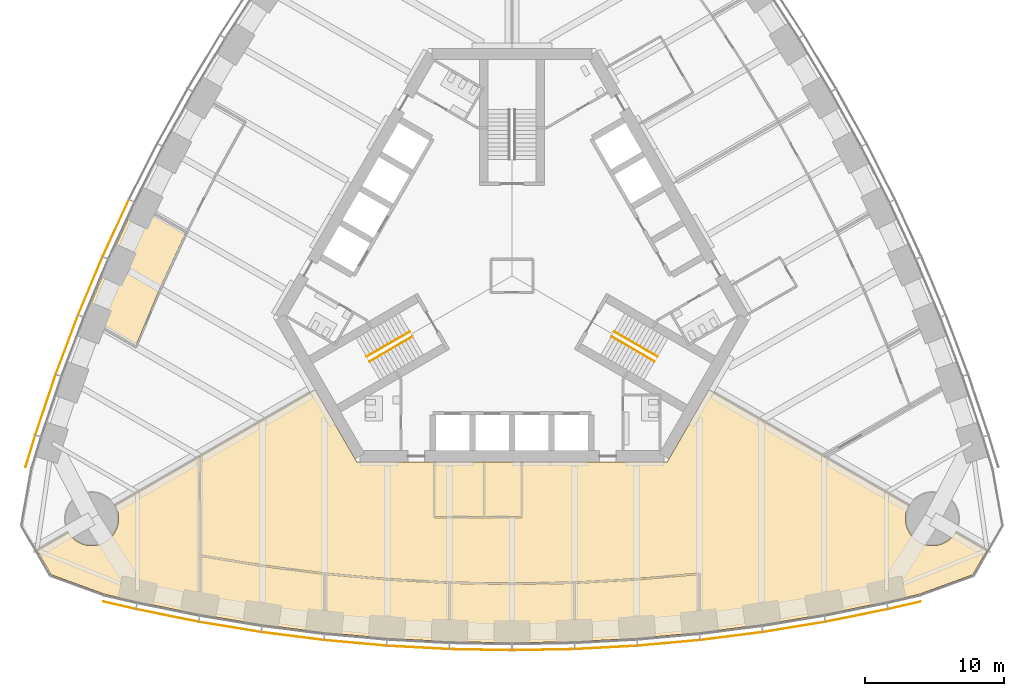
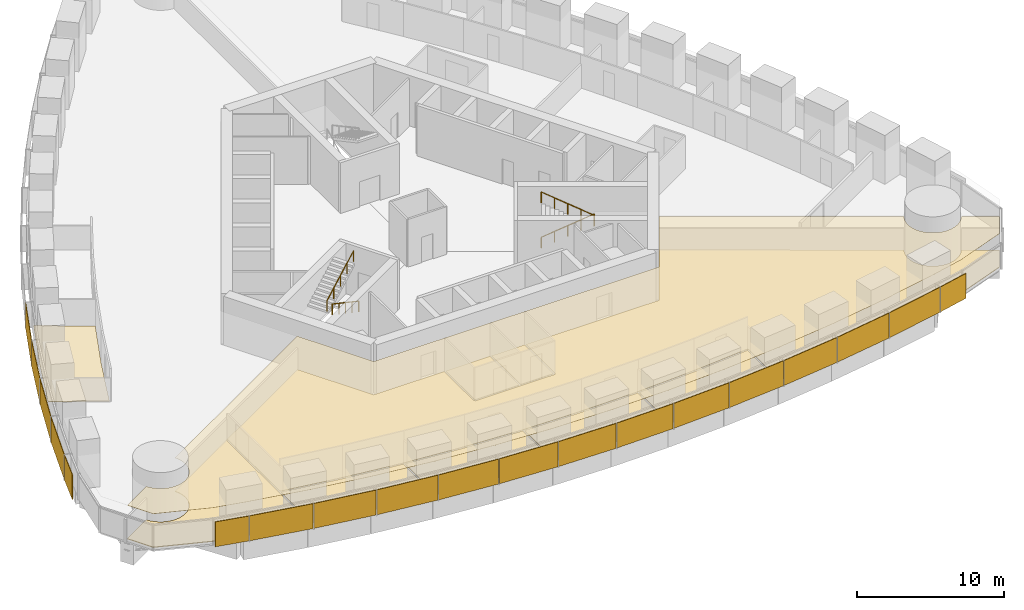
# One storey, part 14 of 18: 19 shading devices, 10 coverings, 4 railings.
"""IFC4 building model written with IfcOpenShell, lengths in metres."""

from ifc_helpers import new_model, si_unit, direction, frame, origin, origin_2d, place, context, subcontext, project, spatial, polyline, rectangle, circle, outline, extrude, material, layer, layer_set, type_object, element, save


model = new_model("IFC4")

# Units and contexts
model_context = context("Model", 3, precision=1e-05, world=origin(), true_north=direction((0.0, 1.0)))
body_context = subcontext(model_context, "Body", "Model", "MODEL_VIEW")
ifc_project = project(units=[si_unit("LENGTHUNIT", "METRE"), si_unit("AREAUNIT", "SQUARE_METRE"), si_unit("VOLUMEUNIT", "CUBIC_METRE"), si_unit("PLANEANGLEUNIT", "RADIAN"), si_unit("MASSUNIT", "GRAM", prefix="KILO")], contexts=[model_context])

# Site, building, storey
site_placement = place(None, origin())
site = spatial("IfcSite", under=ifc_project, at=site_placement, CompositionType="ELEMENT")
building_placement = place(site_placement, origin())
building = spatial("IfcBuilding", under=site, at=building_placement, Name="Trefoil Bronze Tower", CompositionType="ELEMENT")
storey_placement = place(building_placement, frame((0.0, 0.0, 174.5)))
storey = spatial("IfcBuildingStorey", under=building, at=storey_placement, Name="L40", CompositionType="ELEMENT", Elevation=174.5)

# Shading devices
ifc_material_1 = material(Name="Perforated bronze sheet", Category="bronze")
ifc_layer_1 = layer(ifc_material_1, 0.0400390625)
ifc_layer_set_1 = layer_set([ifc_layer_1], Name="Bronze solar screen panel")
shading_device_type = type_object("IfcShadingDeviceType", Name="Bronze solar screen panel", PredefinedType="SHUTTER", material=ifc_layer_set_1)
shading_device_1_placement = place(storey_placement, frame((-28.30078125, -23.748779296875, 0.0498046875), z_axis=(0.0, 0.0, 1.0), x_axis=(0.97420444715, -0.225667222151, 0.0)))
element("IfcShadingDevice", 1, at=shading_device_1_placement, inside=storey, type_object=shading_device_type, Name="Solar screen CW-A L40 F1 bay 1", PredefinedType="SHUTTER", context=body_context, shape_type="SweptSolid", body=[
    extrude(rectangle(XDim=2.39013671875, YDim=0.0400390625, at=origin_2d()), origin(), (0.0, 0.0, 1.0), 2.070068359375),
])
shading_device_2_placement = place(storey_placement, frame((-24.85693359375, -24.480224609375, 0.0498046875), z_axis=(0.0, 0.0, 1.0), x_axis=(0.980155155547, -0.198231861853, 0.0)))
element("IfcShadingDevice", 2, at=shading_device_2_placement, inside=storey, type_object=shading_device_type, Name="Solar screen CW-A L40 F1 bay 2", PredefinedType="SHUTTER", context=body_context, shape_type="SweptSolid", body=[
    extrude(rectangle(XDim=4.56103515625, YDim=0.0400390625, at=origin_2d()), origin(), (0.0, 0.0, 1.0), 2.070068359375),
])
shading_device_3_placement = place(storey_placement, frame((-20.337646484375, -25.30859375, 0.0498046875), z_axis=(0.0, 0.0, 1.0), x_axis=(0.986759655731, -0.162189339418, 0.0)))
element("IfcShadingDevice", 3, at=shading_device_3_placement, inside=storey, type_object=shading_device_type, Name="Solar screen CW-A L40 F1 bay 3", PredefinedType="SHUTTER", context=body_context, shape_type="SweptSolid", body=[
    extrude(rectangle(XDim=4.5302734375, YDim=0.0400390625, at=origin_2d()), origin(), (0.0, 0.0, 1.0), 2.070068359375),
])
shading_device_4_placement = place(storey_placement, frame((-15.818115234375, -25.96728515625, 0.0498046875), z_axis=(0.0, 0.0, 1.0), x_axis=(0.992011554286, -0.126147041833, 0.0)))
element("IfcShadingDevice", 4, at=shading_device_4_placement, inside=storey, type_object=shading_device_type, Name="Solar screen CW-A L40 F1 bay 4", PredefinedType="SHUTTER", context=body_context, shape_type="SweptSolid", body=[
    extrude(rectangle(XDim=4.50634765625, YDim=0.0400390625, at=origin_2d()), origin(), (0.0, 0.0, 1.0), 2.070068359375),
])
shading_device_5_placement = place(storey_placement, frame((-11.298583984375, -26.459228515625, 0.0498046875), z_axis=(0.0, 0.0, 1.0), x_axis=(0.995932279146, -0.090104913044, 0.0)))
element("IfcShadingDevice", 5, at=shading_device_5_placement, inside=storey, type_object=shading_device_type, Name="Solar screen CW-A L40 F1 bay 5", PredefinedType="SHUTTER", context=body_context, shape_type="SweptSolid", body=[
    extrude(rectangle(XDim=4.48828125, YDim=0.0400390625, at=origin_2d()), origin(), (0.0, 0.0, 1.0), 2.070068359375),
])
shading_device_6_placement = place(storey_placement, frame((-6.779296875, -26.785888671875, 0.0498046875), z_axis=(0.0, 0.0, 1.0), x_axis=(0.998537531923, -0.054062901701, 0.0)))
element("IfcShadingDevice", 6, at=shading_device_6_placement, inside=storey, type_object=shading_device_type, Name="Solar screen CW-A L40 F1 bay 6", PredefinedType="SHUTTER", context=body_context, shape_type="SweptSolid", body=[
    extrude(rectangle(XDim=4.4765625, YDim=0.0400390625, at=origin_2d()), origin(), (0.0, 0.0, 1.0), 2.070068359375),
])
for number, where, z_axis, x_axis, name in (
    (7, (-2.259765625, -26.948974609375, 0.0498046875), (0.0, 0.0, 1.0), (0.999837609322, -0.018020959612, 0.0), "Solar screen CW-A L40 F1 bay 7"),
    (8, (2.259765625, -26.948974609375, 0.0498046875), (0.0, 0.0, 1.0), (0.999837609322, 0.018020959612, 0.0), "Solar screen CW-A L40 F1 bay 8"),
):
    element("IfcShadingDevice", number, at=place(storey_placement, frame(where, z_axis=z_axis, x_axis=x_axis)), inside=storey, type_object=shading_device_type, Name=name, PredefinedType="SHUTTER", context=body_context, shape_type="SweptSolid", body=[
        extrude(rectangle(XDim=4.470703125, YDim=0.0400390625, at=origin_2d()), origin(), (0.0, 0.0, 1.0), 2.070068359375),
    ])
shading_device_7_placement = place(storey_placement, frame((6.779296875, -26.785888671875, 0.0498046875), z_axis=(0.0, 0.0, 1.0), x_axis=(0.998537531923, 0.054062901701, 0.0)))
element("IfcShadingDevice", 9, at=shading_device_7_placement, inside=storey, type_object=shading_device_type, Name="Solar screen CW-A L40 F1 bay 9", PredefinedType="SHUTTER", context=body_context, shape_type="SweptSolid", body=[
    extrude(rectangle(XDim=4.4765625, YDim=0.0400390625, at=origin_2d()), origin(), (0.0, 0.0, 1.0), 2.070068359375),
])
shading_device_8_placement = place(storey_placement, frame((11.298583984375, -26.459228515625, 0.0498046875), z_axis=(0.0, 0.0, 1.0), x_axis=(0.995932279146, 0.090104913044, 0.0)))
element("IfcShadingDevice", 10, at=shading_device_8_placement, inside=storey, type_object=shading_device_type, Name="Solar screen CW-A L40 F1 bay 10", PredefinedType="SHUTTER", context=body_context, shape_type="SweptSolid", body=[
    extrude(rectangle(XDim=4.48828125, YDim=0.0400390625, at=origin_2d()), origin(), (0.0, 0.0, 1.0), 2.070068359375),
])
shading_device_9_placement = place(storey_placement, frame((15.818115234375, -25.96728515625, 0.0498046875), z_axis=(0.0, 0.0, 1.0), x_axis=(0.992011554286, 0.126147041833, 0.0)))
element("IfcShadingDevice", 11, at=shading_device_9_placement, inside=storey, type_object=shading_device_type, Name="Solar screen CW-A L40 F1 bay 11", PredefinedType="SHUTTER", context=body_context, shape_type="SweptSolid", body=[
    extrude(rectangle(XDim=4.50634765625, YDim=0.0400390625, at=origin_2d()), origin(), (0.0, 0.0, 1.0), 2.070068359375),
])
shading_device_10_placement = place(storey_placement, frame((20.337646484375, -25.30859375, 0.0498046875), z_axis=(0.0, 0.0, 1.0), x_axis=(0.986759655731, 0.162189339418, 0.0)))
element("IfcShadingDevice", 12, at=shading_device_10_placement, inside=storey, type_object=shading_device_type, Name="Solar screen CW-A L40 F1 bay 12", PredefinedType="SHUTTER", context=body_context, shape_type="SweptSolid", body=[
    extrude(rectangle(XDim=4.5302734375, YDim=0.0400390625, at=origin_2d()), origin(), (0.0, 0.0, 1.0), 2.070068359375),
])
shading_device_11_placement = place(storey_placement, frame((24.85693359375, -24.480224609375, 0.0498046875), z_axis=(0.0, 0.0, 1.0), x_axis=(0.980155155547, 0.198231861853, 0.0)))
element("IfcShadingDevice", 13, at=shading_device_11_placement, inside=storey, type_object=shading_device_type, Name="Solar screen CW-A L40 F1 bay 13", PredefinedType="SHUTTER", context=body_context, shape_type="SweptSolid", body=[
    extrude(rectangle(XDim=4.56103515625, YDim=0.0400390625, at=origin_2d()), origin(), (0.0, 0.0, 1.0), 2.070068359375),
])
shading_device_12_placement = place(storey_placement, frame((28.30078125, -23.748779296875, 0.0498046875), z_axis=(0.0, 0.0, 1.0), x_axis=(0.97420444715, 0.225667222151, 0.0)))
element("IfcShadingDevice", 14, at=shading_device_12_placement, inside=storey, type_object=shading_device_type, Name="Solar screen CW-A L40 F1 bay 14", PredefinedType="SHUTTER", context=body_context, shape_type="SweptSolid", body=[
    extrude(rectangle(XDim=2.39013671875, YDim=0.0400390625, at=origin_2d()), origin(), (0.0, 0.0, 1.0), 2.070068359375),
])
shading_device_13_placement = place(storey_placement, frame((-28.563720703125, 3.444580078125, 0.0498046875), z_axis=(0.0, 0.0, 1.0), x_axis=(-0.419932995871, -0.907555110712, 0.0)))
element("IfcShadingDevice", 15, at=shading_device_13_placement, inside=storey, type_object=shading_device_type, Name="Solar screen CW-A L40 F3 bay 10", PredefinedType="SHUTTER", context=body_context, shape_type="SweptSolid", body=[
    extrude(rectangle(XDim=4.48828125, YDim=0.0400390625, at=origin_2d()), origin(), (0.0, 0.0, 1.0), 2.070068359375),
])
shading_device_14_placement = place(storey_placement, frame((-30.3974609375, -0.715087890625, 0.0498046875), z_axis=(0.0, 0.0, 1.0), x_axis=(-0.386759234303, -0.922180727776, 0.0)))
element("IfcShadingDevice", 16, at=shading_device_14_placement, inside=storey, type_object=shading_device_type, Name="Solar screen CW-A L40 F3 bay 11", PredefinedType="SHUTTER", context=body_context, shape_type="SweptSolid", body=[
    extrude(rectangle(XDim=4.50634765625, YDim=0.0400390625, at=origin_2d()), origin(), (0.0, 0.0, 1.0), 2.070068359375),
])
shading_device_15_placement = place(storey_placement, frame((-32.086669921875, -4.95849609375, 0.0498046875), z_axis=(0.0, 0.0, 1.0), x_axis=(-0.352919739707, -0.935653599002, 0.0)))
element("IfcShadingDevice", 17, at=shading_device_15_placement, inside=storey, type_object=shading_device_type, Name="Solar screen CW-A L40 F3 bay 12", PredefinedType="SHUTTER", context=body_context, shape_type="SweptSolid", body=[
    extrude(rectangle(XDim=4.5302734375, YDim=0.0400390625, at=origin_2d()), origin(), (0.0, 0.0, 1.0), 2.070068359375),
])
shading_device_16_placement = place(storey_placement, frame((-33.62890625, -9.286865234375, 0.0498046875), z_axis=(0.0, 0.0, 1.0), x_axis=(-0.318403749569, -0.947955195281, 0.0)))
element("IfcShadingDevice", 18, at=shading_device_16_placement, inside=storey, type_object=shading_device_type, Name="Solar screen CW-A L40 F3 bay 13", PredefinedType="SHUTTER", context=body_context, shape_type="SweptSolid", body=[
    extrude(rectangle(XDim=4.56103515625, YDim=0.0400390625, at=origin_2d()), origin(), (0.0, 0.0, 1.0), 2.070068359375),
])
shading_device_17_placement = place(storey_placement, frame((-34.717529296875, -12.634765625, 0.0498046875), z_axis=(0.0, 0.0, 1.0), x_axis=(-0.291668676391, -0.956519410787, 0.0)))
element("IfcShadingDevice", 19, at=shading_device_17_placement, inside=storey, type_object=shading_device_type, Name="Solar screen CW-A L40 F3 bay 14", PredefinedType="SHUTTER", context=body_context, shape_type="SweptSolid", body=[
    extrude(rectangle(XDim=2.39013671875, YDim=0.0400390625, at=origin_2d()), origin(), (0.0, 0.0, 1.0), 2.070068359375),
])

# Railings
ifc_material_2 = material(Name="Steel handrail", Category="steel")
railing_type = type_object("IfcRailingType", Name="Handrail 900", PredefinedType="HANDRAIL", material=ifc_material_2)
railing_1_placement = place(storey_placement, frame((7.365966796875, -4.021728515625, 0.16162109375)))
element("IfcRailing", 20, at=railing_1_placement, inside=storey, type_object=railing_type, Name="Handrail ST1 flight 1 L40", PredefinedType="HANDRAIL", context=body_context, shape_type="SweptSolid", body=[
    extrude(circle(Radius=0.02392578125, at=origin_2d()), frame((0.0, 0.0, 0.8759765625), z_axis=(0.76250339821, -0.440245697338, 0.474101564745), x_axis=(0.500012057535, 0.866018442252, 0.0)), (0.0, 0.0, 1.0), 4.088623046875),
    extrude(circle(Radius=0.02099609375, at=origin_2d()), origin(), (0.0, 0.0, 1.0), 0.851806640625),
    extrude(circle(Radius=0.02099609375, at=origin_2d()), frame((0.779296875, -0.449951171875, 0.484619140625)), (0.0, 0.0, 1.0), 0.851806640625),
    extrude(circle(Radius=0.02099609375, at=origin_2d()), frame((1.558837890625, -0.89990234375, 0.96923828125)), (0.0, 0.0, 1.0), 0.851806640625),
    extrude(circle(Radius=0.02099609375, at=origin_2d()), frame((2.33837890625, -1.35009765625, 1.453857421875)), (0.0, 0.0, 1.0), 0.851806640625),
    extrude(circle(Radius=0.02099609375, at=origin_2d()), frame((3.11767578125, -1.800048828125, 1.9384765625)), (0.0, 0.0, 1.0), 0.851806640625),
])
railing_2_placement = place(storey_placement, frame((10.28369140625, -6.168212890625, 2.261474609375)))
element("IfcRailing", 21, at=railing_2_placement, inside=storey, type_object=railing_type, Name="Handrail ST1 flight 2 L40", PredefinedType="HANDRAIL", context=body_context, shape_type="SweptSolid", body=[
    extrude(circle(Radius=0.02392578125, at=origin_2d()), frame((0.0, 0.0, 0.8759765625), z_axis=(-0.76250339821, 0.440245697338, 0.474101564745), x_axis=(-0.500012057535, -0.866018442252, 0.0)), (0.0, 0.0, 1.0), 4.088623046875),
    extrude(circle(Radius=0.02099609375, at=origin_2d()), origin(), (0.0, 0.0, 1.0), 0.851806640625),
    extrude(circle(Radius=0.02099609375, at=origin_2d()), frame((-0.779296875, 0.449951171875, 0.484619140625)), (0.0, 0.0, 1.0), 0.851806640625),
    extrude(circle(Radius=0.02099609375, at=origin_2d()), frame((-1.558837890625, 0.89990234375, 0.96923828125)), (0.0, 0.0, 1.0), 0.851806640625),
    extrude(circle(Radius=0.02099609375, at=origin_2d()), frame((-2.33837890625, 1.35009765625, 1.453857421875)), (0.0, 0.0, 1.0), 0.851806640625),
    extrude(circle(Radius=0.02099609375, at=origin_2d()), frame((-3.11767578125, 1.800048828125, 1.9384765625)), (0.0, 0.0, 1.0), 0.851806640625),
])
railing_3_placement = place(storey_placement, frame((-7.166015625, -4.3681640625, 0.16162109375)))
element("IfcRailing", 22, at=railing_3_placement, inside=storey, type_object=railing_type, Name="Handrail ST3 flight 1 L40", PredefinedType="HANDRAIL", context=body_context, shape_type="SweptSolid", body=[
    extrude(circle(Radius=0.02392578125, at=origin_2d()), frame((0.0, 0.0, 0.8759765625), z_axis=(-0.76250339821, -0.440245697338, 0.474101564745), x_axis=(0.500012057535, -0.866018442252, 0.0)), (0.0, 0.0, 1.0), 4.088623046875),
    extrude(circle(Radius=0.02099609375, at=origin_2d()), origin(), (0.0, 0.0, 1.0), 0.851806640625),
    extrude(circle(Radius=0.02099609375, at=origin_2d()), frame((-0.779296875, -0.449951171875, 0.484619140625)), (0.0, 0.0, 1.0), 0.851806640625),
    extrude(circle(Radius=0.02099609375, at=origin_2d()), frame((-1.558837890625, -0.89990234375, 0.96923828125)), (0.0, 0.0, 1.0), 0.851806640625),
    extrude(circle(Radius=0.02099609375, at=origin_2d()), frame((-2.33837890625, -1.35009765625, 1.453857421875)), (0.0, 0.0, 1.0), 0.851806640625),
    extrude(circle(Radius=0.02099609375, at=origin_2d()), frame((-3.11767578125, -1.800048828125, 1.9384765625)), (0.0, 0.0, 1.0), 0.851806640625),
])
railing_4_placement = place(storey_placement, frame((-10.483642578125, -5.82177734375, 2.261474609375)))
element("IfcRailing", 23, at=railing_4_placement, inside=storey, type_object=railing_type, Name="Handrail ST3 flight 2 L40", PredefinedType="HANDRAIL", context=body_context, shape_type="SweptSolid", body=[
    extrude(circle(Radius=0.02392578125, at=origin_2d()), frame((0.0, 0.0, 0.8759765625), z_axis=(0.76250339821, 0.440245697338, 0.474101564745), x_axis=(-0.500012057535, 0.866018442252, 0.0)), (0.0, 0.0, 1.0), 4.088623046875),
    extrude(circle(Radius=0.02099609375, at=origin_2d()), origin(), (0.0, 0.0, 1.0), 0.851806640625),
    extrude(circle(Radius=0.02099609375, at=origin_2d()), frame((0.779296875, 0.449951171875, 0.484619140625)), (0.0, 0.0, 1.0), 0.851806640625),
    extrude(circle(Radius=0.02099609375, at=origin_2d()), frame((1.558837890625, 0.89990234375, 0.96923828125)), (0.0, 0.0, 1.0), 0.851806640625),
    extrude(circle(Radius=0.02099609375, at=origin_2d()), frame((2.33837890625, 1.35009765625, 1.453857421875)), (0.0, 0.0, 1.0), 0.851806640625),
    extrude(circle(Radius=0.02099609375, at=origin_2d()), frame((3.11767578125, 1.800048828125, 1.9384765625)), (0.0, 0.0, 1.0), 0.851806640625),
])

# Coverings
ifc_material_3 = material(Name="Acoustic ceiling panels", Category="mineral fibre")
ifc_layer_2 = layer(ifc_material_3, 0.02001953125)
ifc_layer_set_2 = layer_set([ifc_layer_2], Name="Office ceiling 20")
covering_type_1 = type_object("IfcCoveringType", Name="Office ceiling 20", PredefinedType="CEILING", material=ifc_layer_set_2)
covering_1_placement = place(storey_placement, frame((0.0, 0.0, 2.89990234375)))
element("IfcCovering", 24, at=covering_1_placement, inside=storey, type_object=covering_type_1, Name="Ceiling L40 PA area F1", PredefinedType="CEILING", context=body_context, shape_type="SweptSolid", body=[
    extrude(outline(polyline([(-31.932373046875, -18.58349609375), (-31.877197265625, -18.66162109375), (-31.818359375, -18.737060546875), (-31.755615234375, -18.8095703125), (-31.689697265625, -18.87890625), (-31.620361328125, -18.94482421875), (-31.548095703125, -19.00732421875), (-31.472412109375, -19.06640625), (-31.394287109375, -19.121337890625), (-31.3134765625, -19.172607421875), (-31.22998046875, -19.2197265625), (-31.14453125, -19.2626953125), (-31.05712890625, -19.301513671875), (-30.9677734375, -19.3359375), (-30.876953125, -19.365966796875), (-30.78466796875, -19.3916015625), (-30.69140625, -19.41259765625), (-30.596923828125, -19.428955078125), (-30.501953125, -19.440673828125), (-30.406494140625, -19.44775390625), (-30.310791015625, -19.449951171875), (-30.215087890625, -19.44775390625), (-30.119873046875, -19.440673828125), (-30.02490234375, -19.428955078125), (-29.930419921875, -19.41259765625), (-29.837158203125, -19.3916015625), (-29.744873046875, -19.365966796875), (-29.654052734375, -19.3359375), (-29.564697265625, -19.301513671875), (-29.477294921875, -19.2626953125), (-29.3916015625, -19.2197265625), (-29.308349609375, -19.172607421875), (-29.2275390625, -19.121337890625), (-29.1494140625, -19.06640625), (-29.07373046875, -19.00732421875), (-29.001220703125, -18.94482421875), (-28.931884765625, -18.87890625), (-28.865966796875, -18.8095703125), (-28.803466796875, -18.737060546875), (-28.74462890625, -18.66162109375), (-28.689453125, -18.58349609375), (-28.63818359375, -18.50244140625), (-28.591064453125, -18.419189453125), (-28.548095703125, -18.333740234375), (-28.50927734375, -18.24609375), (-28.474853515625, -18.156982421875), (-28.44482421875, -18.066162109375), (-28.419189453125, -17.973876953125), (-28.3984375, -17.88037109375), (-28.382080078125, -17.7861328125), (-28.370361328125, -17.691162109375), (-28.36328125, -17.595703125), (-28.36083984375, -17.5), (-28.36328125, -17.404296875), (-28.370361328125, -17.308837890625), (-28.382080078125, -17.2138671875), (-28.3984375, -17.11962890625), (-28.419189453125, -17.026123046875), (-28.44482421875, -16.933837890625), (-28.474853515625, -16.843017578125), (-28.50927734375, -16.75390625), (-28.548095703125, -16.666259765625), (-28.591064453125, -16.580810546875), (-28.616455078125, -16.535888671875), (-14.19970703125, -8.205322265625), (-11.20068359375, -13.39990234375), (11.20068359375, -13.39990234375), (14.19970703125, -8.205322265625), (28.616455078125, -16.535888671875), (28.591064453125, -16.580810546875), (28.548095703125, -16.666259765625), (28.50927734375, -16.75390625), (28.474853515625, -16.843017578125), (28.44482421875, -16.933837890625), (28.419189453125, -17.026123046875), (28.3984375, -17.11962890625), (28.382080078125, -17.2138671875), (28.370361328125, -17.308837890625), (28.36328125, -17.404296875), (28.36083984375, -17.5), (28.36328125, -17.595703125), (28.370361328125, -17.691162109375), (28.382080078125, -17.7861328125), (28.3984375, -17.88037109375), (28.419189453125, -17.973876953125), (28.44482421875, -18.066162109375), (28.474853515625, -18.156982421875), (28.50927734375, -18.24609375), (28.548095703125, -18.333740234375), (28.591064453125, -18.419189453125), (28.63818359375, -18.50244140625), (28.689453125, -18.58349609375), (28.74462890625, -18.66162109375), (28.803466796875, -18.737060546875), (28.865966796875, -18.8095703125), (28.931884765625, -18.87890625), (29.001220703125, -18.94482421875), (29.07373046875, -19.00732421875), (29.1494140625, -19.06640625), (29.2275390625, -19.121337890625), (29.308349609375, -19.172607421875), (29.3916015625, -19.2197265625), (29.477294921875, -19.2626953125), (29.564697265625, -19.301513671875), (29.654052734375, -19.3359375), (29.744873046875, -19.365966796875), (29.837158203125, -19.3916015625), (29.930419921875, -19.41259765625), (30.02490234375, -19.428955078125), (30.119873046875, -19.440673828125), (30.215087890625, -19.44775390625), (30.310791015625, -19.449951171875), (30.406494140625, -19.44775390625), (30.501953125, -19.440673828125), (30.596923828125, -19.428955078125), (30.69140625, -19.41259765625), (30.78466796875, -19.3916015625), (30.876953125, -19.365966796875), (30.9677734375, -19.3359375), (31.05712890625, -19.301513671875), (31.14453125, -19.2626953125), (31.22998046875, -19.2197265625), (31.3134765625, -19.172607421875), (31.394287109375, -19.121337890625), (31.472412109375, -19.06640625), (31.548095703125, -19.00732421875), (31.620361328125, -18.94482421875), (31.689697265625, -18.87890625), (31.755615234375, -18.8095703125), (31.818359375, -18.737060546875), (31.877197265625, -18.66162109375), (31.932373046875, -18.58349609375), (31.992431640625, -18.48681640625), (34.233154296875, -19.781494140625), (33.21435546875, -21.5458984375), (29.357666015625, -22.94970703125), (27.0, -23.495849609375), (22.5, -24.406005859375), (18.0, -25.1455078125), (13.5, -25.7177734375), (9.0, -26.125), (4.5, -26.36865234375), (0.0, -26.44970703125), (-4.5, -26.36865234375), (-9.0, -26.125), (-13.5, -25.7177734375), (-18.0, -25.1455078125), (-22.5, -24.406005859375), (-27.0, -23.495849609375), (-29.357666015625, -22.94970703125), (-33.21435546875, -21.5458984375), (-34.233154296875, -19.781494140625), (-31.992431640625, -18.48681640625), (-31.932373046875, -18.58349609375)])), origin(), (0.0, 0.0, 1.0), 0.02001953125),
])
ifc_material_4 = material(Name="Raised access floor panels", Category="steel")
ifc_layer_3 = layer(ifc_material_4, 0.050048828125)
ifc_layer_set_3 = layer_set([ifc_layer_3], Name="Raised access floor 150")
covering_type_2 = type_object("IfcCoveringType", Name="Raised access floor 150", PredefinedType="FLOORING", material=ifc_layer_set_3)
covering_2_placement = place(storey_placement, frame((0.0, 0.0, 0.10009765625)))
element("IfcCovering", 25, at=covering_2_placement, inside=storey, type_object=covering_type_2, Name="Raised floor L40 Dining room F1", PredefinedType="FLOORING", context=body_context, shape_type="SweptSolid", body=[
    extrude(outline(polyline([(-28.616455078125, -16.535888671875), (-22.5, -13.001708984375), (-22.5, -13.051513671875), (-22.56005859375, -13.051513671875), (-22.56005859375, -22.748779296875), (-22.5, -22.748779296875), (-22.5, -24.406005859375), (-27.0, -23.495849609375), (-29.357666015625, -22.94970703125), (-33.21435546875, -21.5458984375), (-34.233154296875, -19.781494140625), (-31.992431640625, -18.48681640625), (-31.932373046875, -18.58349609375), (-31.877197265625, -18.66162109375), (-31.818359375, -18.737060546875), (-31.755615234375, -18.8095703125), (-31.689697265625, -18.87890625), (-31.620361328125, -18.94482421875), (-31.548095703125, -19.00732421875), (-31.472412109375, -19.06640625), (-31.394287109375, -19.121337890625), (-31.3134765625, -19.172607421875), (-31.22998046875, -19.2197265625), (-31.14453125, -19.2626953125), (-31.05712890625, -19.301513671875), (-30.9677734375, -19.3359375), (-30.876953125, -19.365966796875), (-30.78466796875, -19.3916015625), (-30.69140625, -19.41259765625), (-30.596923828125, -19.428955078125), (-30.501953125, -19.440673828125), (-30.406494140625, -19.44775390625), (-30.310791015625, -19.449951171875), (-30.215087890625, -19.44775390625), (-30.119873046875, -19.440673828125), (-30.02490234375, -19.428955078125), (-29.930419921875, -19.41259765625), (-29.837158203125, -19.3916015625), (-29.744873046875, -19.365966796875), (-29.654052734375, -19.3359375), (-29.564697265625, -19.301513671875), (-29.477294921875, -19.2626953125), (-29.3916015625, -19.2197265625), (-29.308349609375, -19.172607421875), (-29.2275390625, -19.121337890625), (-29.1494140625, -19.06640625), (-29.07373046875, -19.00732421875), (-29.001220703125, -18.94482421875), (-28.931884765625, -18.87890625), (-28.865966796875, -18.8095703125), (-28.803466796875, -18.737060546875), (-28.74462890625, -18.66162109375), (-28.689453125, -18.58349609375), (-28.63818359375, -18.50244140625), (-28.591064453125, -18.419189453125), (-28.548095703125, -18.333740234375), (-28.50927734375, -18.24609375), (-28.474853515625, -18.156982421875), (-28.44482421875, -18.066162109375), (-28.419189453125, -17.973876953125), (-28.3984375, -17.88037109375), (-28.382080078125, -17.7861328125), (-28.370361328125, -17.691162109375), (-28.36328125, -17.595703125), (-28.36083984375, -17.5), (-28.36328125, -17.404296875), (-28.370361328125, -17.308837890625), (-28.382080078125, -17.2138671875), (-28.3984375, -17.11962890625), (-28.419189453125, -17.026123046875), (-28.44482421875, -16.933837890625), (-28.474853515625, -16.843017578125), (-28.50927734375, -16.75390625), (-28.548095703125, -16.666259765625), (-28.591064453125, -16.580810546875), (-28.616455078125, -16.535888671875)])), origin(), (0.0, 0.0, 1.0), 0.0498046875),
])
covering_3_placement = place(storey_placement, frame((0.0, 0.0, 0.10009765625)))
element("IfcCovering", 26, at=covering_3_placement, inside=storey, type_object=covering_type_2, Name="Raised floor L40 Meeting room F1", PredefinedType="FLOORING", context=body_context, shape_type="SweptSolid", body=[
    extrude(outline(polyline([(-2.06005859375, -13.39990234375), (-2.06005859375, -17.340087890625), (-5.5400390625, -17.340087890625), (-5.5400390625, -13.39990234375), (-2.06005859375, -13.39990234375)])), origin(), (0.0, 0.0, 1.0), 0.0498046875),
])
covering_4_placement = place(storey_placement, frame((0.0, 0.0, 0.10009765625)))
element("IfcCovering", 27, at=covering_4_placement, inside=storey, type_object=covering_type_2, Name="Raised floor L40 Pantry F1", PredefinedType="FLOORING", context=body_context, shape_type="SweptSolid", body=[
    extrude(outline(polyline([(0.639892578125, -13.39990234375), (0.639892578125, -17.340087890625), (-1.93994140625, -17.340087890625), (-1.93994140625, -13.39990234375), (0.639892578125, -13.39990234375)])), origin(), (0.0, 0.0, 1.0), 0.0498046875),
])
covering_5_placement = place(storey_placement, frame((0.0, 0.0, 0.10009765625)))
element("IfcCovering", 28, at=covering_5_placement, inside=storey, type_object=covering_type_2, Name="Raised floor L40 Executive office F1", PredefinedType="FLOORING", context=body_context, shape_type="SweptSolid", body=[
    extrude(outline(polyline([(-18.0, -25.1455078125), (-22.5, -24.406005859375), (-22.5, -22.748779296875), (-22.43994140625, -22.748779296875), (-22.43994140625, -20.2265625), (-18.009765625, -20.954833984375), (-18.0, -20.8955078125), (-18.007568359375, -20.955078125), (-13.56005859375, -21.520751953125), (-13.56005859375, -24.078125), (-13.5, -24.078125), (-13.5, -25.7177734375), (-18.0, -25.1455078125)])), origin(), (0.0, 0.0, 1.0), 0.0498046875),
])
covering_6_placement = place(storey_placement, frame((0.0, 0.0, 0.10009765625)))
element("IfcCovering", 29, at=covering_6_placement, inside=storey, type_object=covering_type_2, Name="Raised floor L40 Executive office F1", PredefinedType="FLOORING", context=body_context, shape_type="SweptSolid", body=[
    extrude(outline(polyline([(-9.0, -26.125), (-13.5, -25.7177734375), (-13.5, -24.078125), (-13.43994140625, -24.078125), (-13.43994140625, -21.533447265625), (-9.00537109375, -21.934814453125), (-9.0, -21.875), (-9.003173828125, -21.934814453125), (-4.56005859375, -22.17529296875), (-4.56005859375, -24.737548828125), (-4.5, -24.737548828125), (-4.5, -26.36865234375), (-9.0, -26.125)])), origin(), (0.0, 0.0, 1.0), 0.0498046875),
])
covering_7_placement = place(storey_placement, frame((0.0, 0.0, 0.10009765625)))
element("IfcCovering", 30, at=covering_7_placement, inside=storey, type_object=covering_type_2, Name="Raised floor L40 Executive office F1", PredefinedType="FLOORING", context=body_context, shape_type="SweptSolid", body=[
    extrude(outline(polyline([(0.0, -26.44970703125), (-4.5, -26.36865234375), (-4.5, -24.737548828125), (-4.43994140625, -24.737548828125), (-4.43994140625, -22.1796875), (-0.001220703125, -22.259765625), (0.0, -22.19970703125), (0.001220703125, -22.259765625), (4.43994140625, -22.1796875), (4.43994140625, -24.737548828125), (4.5, -24.737548828125), (4.5, -26.36865234375), (0.0, -26.44970703125)])), origin(), (0.0, 0.0, 1.0), 0.0498046875),
])
covering_8_placement = place(storey_placement, frame((0.0, 0.0, 0.10009765625)))
element("IfcCovering", 31, at=covering_8_placement, inside=storey, type_object=covering_type_2, Name="Raised floor L40 Executive office F1", PredefinedType="FLOORING", context=body_context, shape_type="SweptSolid", body=[
    extrude(outline(polyline([(9.0, -26.125), (4.5, -26.36865234375), (4.5, -24.737548828125), (4.56005859375, -24.737548828125), (4.56005859375, -22.17529296875), (9.003173828125, -21.934814453125), (9.0, -21.875), (9.00537109375, -21.934814453125), (13.43994140625, -21.533447265625), (13.43994140625, -24.078125), (13.5, -24.078125), (13.5, -25.7177734375), (9.0, -26.125)])), origin(), (0.0, 0.0, 1.0), 0.0498046875),
])
covering_9_placement = place(storey_placement, frame((0.0, 0.0, 0.10009765625)))
element("IfcCovering", 32, at=covering_9_placement, inside=storey, type_object=covering_type_2, Name="Raised floor L40 PA area F1", PredefinedType="FLOORING", context=body_context, shape_type="SweptSolid", body=[
    extrude(outline(polyline([(-11.20068359375, -13.39990234375), (-5.659912109375, -13.39990234375), (-5.659912109375, -17.39990234375), (-5.60009765625, -17.39990234375), (-5.60009765625, -17.4599609375), (0.699951171875, -17.4599609375), (0.699951171875, -17.39990234375), (0.760009765625, -17.39990234375), (0.760009765625, -13.39990234375), (11.20068359375, -13.39990234375), (14.19970703125, -8.205322265625), (28.616455078125, -16.535888671875), (28.591064453125, -16.580810546875), (28.548095703125, -16.666259765625), (28.50927734375, -16.75390625), (28.474853515625, -16.843017578125), (28.44482421875, -16.933837890625), (28.419189453125, -17.026123046875), (28.3984375, -17.11962890625), (28.382080078125, -17.2138671875), (28.370361328125, -17.308837890625), (28.36328125, -17.404296875), (28.36083984375, -17.5), (28.36328125, -17.595703125), (28.370361328125, -17.691162109375), (28.382080078125, -17.7861328125), (28.3984375, -17.88037109375), (28.419189453125, -17.973876953125), (28.44482421875, -18.066162109375), (28.474853515625, -18.156982421875), (28.50927734375, -18.24609375), (28.548095703125, -18.333740234375), (28.591064453125, -18.419189453125), (28.63818359375, -18.50244140625), (28.689453125, -18.58349609375), (28.74462890625, -18.66162109375), (28.803466796875, -18.737060546875), (28.865966796875, -18.8095703125), (28.931884765625, -18.87890625), (29.001220703125, -18.94482421875), (29.07373046875, -19.00732421875), (29.1494140625, -19.06640625), (29.2275390625, -19.121337890625), (29.308349609375, -19.172607421875), (29.3916015625, -19.2197265625), (29.477294921875, -19.2626953125), (29.564697265625, -19.301513671875), (29.654052734375, -19.3359375), (29.744873046875, -19.365966796875), (29.837158203125, -19.3916015625), (29.930419921875, -19.41259765625), (30.02490234375, -19.428955078125), (30.119873046875, -19.440673828125), (30.215087890625, -19.44775390625), (30.310791015625, -19.449951171875), (30.406494140625, -19.44775390625), (30.501953125, -19.440673828125), (30.596923828125, -19.428955078125), (30.69140625, -19.41259765625), (30.78466796875, -19.3916015625), (30.876953125, -19.365966796875), (30.9677734375, -19.3359375), (31.05712890625, -19.301513671875), (31.14453125, -19.2626953125), (31.22998046875, -19.2197265625), (31.3134765625, -19.172607421875), (31.394287109375, -19.121337890625), (31.472412109375, -19.06640625), (31.548095703125, -19.00732421875), (31.620361328125, -18.94482421875), (31.689697265625, -18.87890625), (31.755615234375, -18.8095703125), (31.818359375, -18.737060546875), (31.877197265625, -18.66162109375), (31.932373046875, -18.58349609375), (31.992431640625, -18.48681640625), (34.233154296875, -19.781494140625), (33.21435546875, -21.5458984375), (29.357666015625, -22.94970703125), (27.0, -23.495849609375), (22.5, -24.406005859375), (18.0, -25.1455078125), (13.5, -25.7177734375), (13.5, -24.078125), (13.56005859375, -24.078125), (13.56005859375, -21.4677734375), (13.5, -21.4677734375), (13.49462890625, -21.407958984375), (10.18359375, -21.70751953125), (7.807861328125, -21.87939453125), (4.497802734375, -22.05859375), (1.17041015625, -22.11865234375), (-1.17041015625, -22.11865234375), (-4.497802734375, -22.05859375), (-7.807861328125, -21.87939453125), (-10.18359375, -21.70751953125), (-13.493408203125, -21.408203125), (-16.75146484375, -20.993896484375), (-19.231201171875, -20.63232421875), (-22.43994140625, -20.10498046875), (-22.43994140625, -13.051513671875), (-22.5, -13.051513671875), (-22.5, -13.001708984375), (-14.19970703125, -8.205322265625), (-11.20068359375, -13.39990234375)])), origin(), (0.0, 0.0, 1.0), 0.0498046875),
])
covering_10_placement = place(storey_placement, frame((0.0, 0.0, 0.10009765625)))
element("IfcCovering", 33, at=covering_10_placement, inside=storey, type_object=covering_type_2, Name="Raised floor L40 Executive office F3", PredefinedType="FLOORING", context=body_context, shape_type="SweptSolid", body=[
    extrude(outline(polyline([(-29.022216796875, 1.16748046875), (-27.124755859375, 5.268310546875), (-25.709716796875, 4.451171875), (-25.739501953125, 4.399169921875), (-23.521728515625, 3.11865234375), (-25.39599609375, -0.93212890625), (-25.341796875, -0.95751953125), (-25.39697265625, -0.93408203125), (-27.125, -5.0546875), (-29.3203125, -3.787353515625), (-29.350341796875, -3.839111328125), (-30.776611328125, -3.015625), (-29.022216796875, 1.16748046875)])), origin(), (0.0, 0.0, 1.0), 0.0498046875),
])

save(model, "model.ifc")
